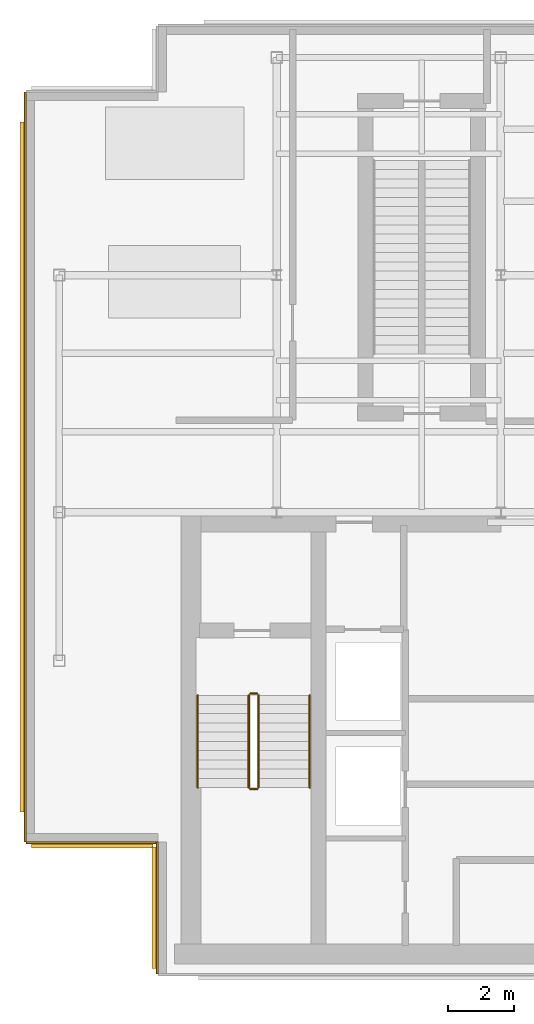
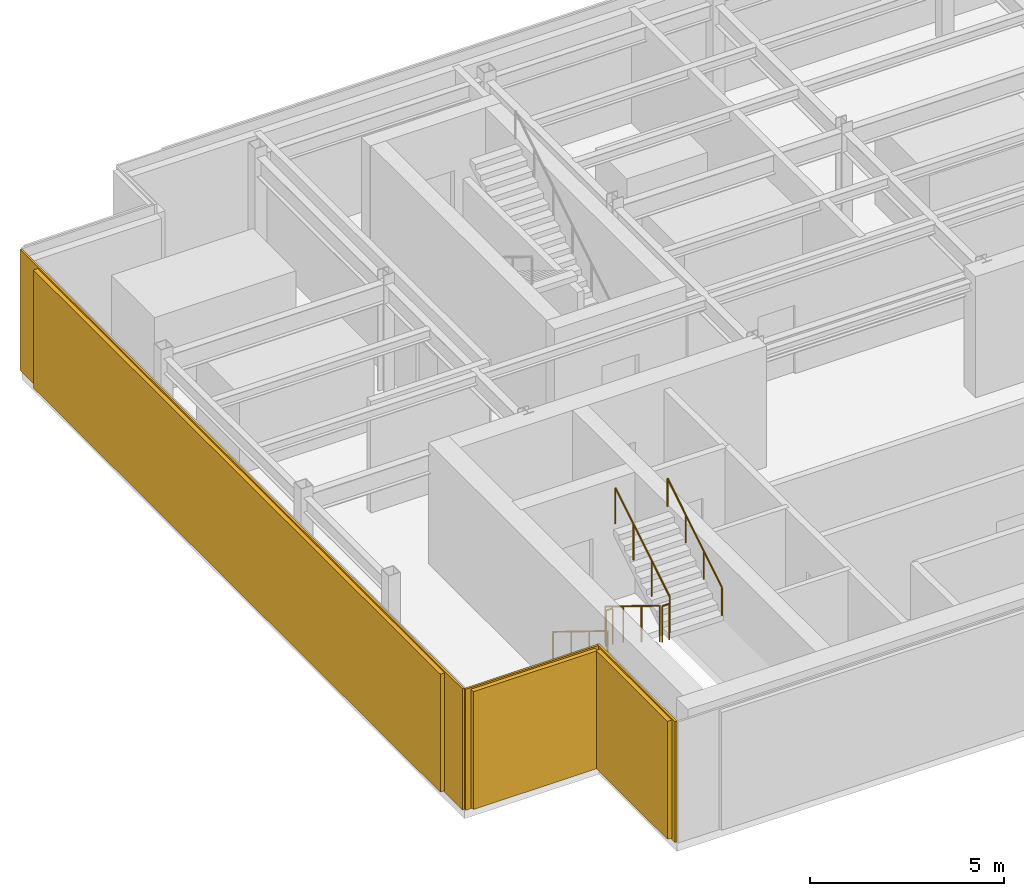
# One storey, part 4 of 7: 6 railings, 3 coverings, 3 shading devices.
"""IFC4 building model written with IfcOpenShell, lengths in metres."""

import ifcopenshell
import ifcopenshell.guid

model = None  # the IFC model being written
_history = None  # IfcOwnerHistory: only IFC2X3 demands one
_inside = {}  # id of a spatial element -> (the spatial element, [elements in it])
_under = {}  # id of a project, library or spatial element -> (it, [spatial elements below it])
_declared = {}  # id of a project -> (the project, [libraries it declares])
_typed = {}  # id of a type object -> (the type object, [elements of that type])
_made_of = {}  # id of a material, layer set ... -> (it, [elements and type objects made of it])


def new_model(schema):
    """Start an empty IFC model of exactly this schema.

    Asked for "IFC4X3", IfcOpenShell would pick the latest addendum, in which some entities
    have other attributes; the version numbers below select the first issue.
    IFC2X3 requires an IfcOwnerHistory on every rooted entity: one is made here for all.
    """
    global model, _history
    if schema == "IFC4X3":
        model = ifcopenshell.file(schema_version=(4, 3, 0, 0))
    else:
        model = ifcopenshell.file(schema=schema)
    _inside.clear()
    _under.clear()
    _declared.clear()
    _typed.clear()
    _made_of.clear()
    _history = None
    if model.schema == "IFC2X3":
        org = make("IfcOrganization", Name="unknown")
        user = make(
            "IfcPersonAndOrganization",
            ThePerson=make("IfcPerson", FamilyName="unknown"),
            TheOrganization=org,
        )
        app = make(
            "IfcApplication",
            ApplicationDeveloper=org,
            Version="unknown",
            ApplicationFullName="unknown",
            ApplicationIdentifier="unknown",
        )
        _history = make(
            "IfcOwnerHistory",
            OwningUser=user,
            OwningApplication=app,
            ChangeAction="ADDED",
            CreationDate=0,
        )
    return model


def make(cls, **values):
    """One entity of the class cls with the attributes given. An attribute that is None is left unset."""
    return model.create_entity(
        cls, **{name: value for name, value in values.items() if value is not None}
    )


def rooted(cls, **values):
    """An entity with a GlobalId (a new one), such as an element, a storey or a relation."""
    return make(cls, GlobalId=ifcopenshell.guid.new(), OwnerHistory=_history, **values)


def si_unit(unit_type, name, prefix=None):
    """IfcSIUnit, for example si_unit("LENGTHUNIT", "METRE", prefix="MILLI")."""
    return make("IfcSIUnit", UnitType=unit_type, Prefix=prefix, Name=name)


def derived_unit(unit_type, elements):
    """IfcDerivedUnit: a product of units, each with its exponent."""
    return make(
        "IfcDerivedUnit",
        Elements=[
            make("IfcDerivedUnitElement", Unit=unit, Exponent=power)
            for unit, power in elements
        ],
        UnitType=unit_type,
    )


def assignment(units):
    """IfcUnitAssignment: the units of a project."""
    return None if units is None else make("IfcUnitAssignment", Units=units)


def point(xyz):
    """IfcCartesianPoint."""
    return None if xyz is None else make("IfcCartesianPoint", Coordinates=xyz)


def direction(xyz):
    """IfcDirection."""
    return None if xyz is None else make("IfcDirection", DirectionRatios=xyz)


def frame(location, z_axis=None, x_axis=None):
    """IfcAxis2Placement3D, a coordinate frame: its origin and axes. An axis left out is left unset."""
    return make(
        "IfcAxis2Placement3D",
        Location=point(location),
        Axis=direction(z_axis),
        RefDirection=direction(x_axis),
    )


def frame_2d(location, x_axis=None):
    """IfcAxis2Placement2D, a coordinate frame in the plane: its origin and x axis."""
    return make(
        "IfcAxis2Placement2D", Location=point(location), RefDirection=direction(x_axis)
    )


def origin():
    """The frame at (0, 0, 0) with its axes left unset."""
    return frame((0.0, 0.0, 0.0))


def origin_2d():
    """The frame at (0, 0) in the plane with its x axis left unset."""
    return frame_2d((0.0, 0.0))


def place(relative_to, where):
    """IfcLocalPlacement: puts the frame where relative to a parent placement (None: the world)."""
    return make(
        "IfcLocalPlacement", PlacementRelTo=relative_to, RelativePlacement=where
    )


def context(
    kind, dimensions, precision=None, world=None, true_north=None, identifier=None
):
    """IfcGeometricRepresentationContext, for example the 3D "Model" context."""
    return make(
        "IfcGeometricRepresentationContext",
        ContextIdentifier=identifier,
        ContextType=kind,
        CoordinateSpaceDimension=dimensions,
        Precision=precision,
        WorldCoordinateSystem=world,
        TrueNorth=true_north,
    )


def subcontext(parent, identifier, kind, view, scale=None):
    """IfcGeometricRepresentationSubContext, for example "Body" below "Model"."""
    return make(
        "IfcGeometricRepresentationSubContext",
        ContextIdentifier=identifier,
        ContextType=kind,
        ParentContext=parent,
        TargetScale=scale,
        TargetView=view,
    )


def project(units=None, contexts=None):
    """IfcProject with its units and contexts."""
    return rooted(
        "IfcProject",
        Name="project",
        RepresentationContexts=contexts,
        UnitsInContext=assignment(units),
    )


def spatial(cls, under=None, at=None, **own):
    """A site, building, storey or space (cls), placed at a placement, below another one or the project."""
    s = rooted(cls, ObjectPlacement=at, **own)
    if under is not None:
        _under.setdefault(under.id(), (under, []))[1].append(s)
    return s


def profile(cls, at=None, kind="AREA", **sizes):
    """A parametric profile (cls). Its sizes go by their IFC names, for example OverallWidth=200.0."""
    return make(cls, ProfileType=kind, Position=at, **sizes)


def rectangle(**sizes):
    """IfcRectangleProfileDef."""
    return profile("IfcRectangleProfileDef", **sizes)


def circle(**sizes):
    """IfcCircleProfileDef."""
    return profile("IfcCircleProfileDef", **sizes)


def extrude(swept, where, along, depth):
    """IfcExtrudedAreaSolid: the profile swept, set in the frame where, extruded along a direction by depth."""
    return make(
        "IfcExtrudedAreaSolid",
        SweptArea=swept,
        Position=where,
        ExtrudedDirection=direction(along),
        Depth=depth,
    )


def shape(context_of_items, identifier, shape_type, items):
    """IfcShapeRepresentation: the items that make up one representation, for example the "Body"."""
    return make(
        "IfcShapeRepresentation",
        ContextOfItems=context_of_items,
        RepresentationIdentifier=identifier,
        RepresentationType=shape_type,
        Items=items,
    )


def source(mapping_origin, context_of_items, identifier, shape_type, items):
    """IfcRepresentationMap: a shape defined once, which mapped items show again and again."""
    return make(
        "IfcRepresentationMap",
        MappingOrigin=mapping_origin,
        MappedRepresentation=shape(context_of_items, identifier, shape_type, items),
    )


def transform(
    local_origin,
    x_axis=None,
    y_axis=None,
    z_axis=None,
    scale=None,
    scale2=None,
    scale3=None,
    uniform=True,
):
    """IfcCartesianTransformationOperator3D, or its non-uniform kind. x_axis, y_axis, z_axis: its Axis1, 2, 3."""
    if uniform:
        return make(
            "IfcCartesianTransformationOperator3D",
            Axis1=direction(x_axis),
            Axis2=direction(y_axis),
            LocalOrigin=point(local_origin),
            Scale=scale,
            Axis3=direction(z_axis),
        )
    return make(
        "IfcCartesianTransformationOperator3DnonUniform",
        Axis1=direction(x_axis),
        Axis2=direction(y_axis),
        LocalOrigin=point(local_origin),
        Scale=scale,
        Axis3=direction(z_axis),
        Scale2=scale2,
        Scale3=scale3,
    )


def mapped(mapping_source, mapping_target):
    """IfcMappedItem: shows the shape of a source again, moved by a transform."""
    return make(
        "IfcMappedItem", MappingSource=mapping_source, MappingTarget=mapping_target
    )


def material(Name=None, Category=None):
    """IfcMaterial."""
    return make("IfcMaterial", Name=Name, Category=Category)


def layer(
    of_material, thickness, ventilated=None, Name=None, Category=None, Priority=None
):
    """IfcMaterialLayer: one layer of a wall or slab, of a material (None: an air gap)."""
    return make(
        "IfcMaterialLayer",
        Material=of_material,
        LayerThickness=thickness,
        IsVentilated=ventilated,
        Name=Name,
        Category=Category,
        Priority=Priority,
    )


def layer_set(layers, Name=None):
    """IfcMaterialLayerSet."""
    return make("IfcMaterialLayerSet", MaterialLayers=layers, LayerSetName=Name)


def made_of(thing, what):
    """Note that an element or type object is made of a material, layer set ...; save() writes the relation."""
    if what is not None:
        _made_of.setdefault(what.id(), (what, []))[1].append(thing)
    return thing


def type_object(cls, material=None, **own):
    """A type object (cls), such as IfcWallType, which elements share."""
    return made_of(rooted(cls, **own), material)


def element(
    cls,
    number,
    at=None,
    inside=None,
    cuts=None,
    type_object=None,
    material=None,
    context=None,
    identifier="Body",
    shape_type=None,
    held_by="IfcProductDefinitionShape",
    body=None,
    shapes=None,
    **own,
):
    """One element of the class cls, such as IfcWall. Its Tag is "e" and its number.

    at: its placement. inside: the storey or other place that contains it. cuts: it is an
    opening in that element (IfcRelVoidsElement). A single representation is given by context,
    identifier, shape_type and body (its items); several are given by shapes. held_by: the class
    of the entity that holds the representations. save() writes the other relations.
    """
    e = rooted(cls, Tag="e%d" % number, ObjectPlacement=at, **own)
    if body is not None:
        shapes = [shape(context, identifier, shape_type, body)]
    if shapes is not None:
        e.Representation = make(held_by, Representations=shapes)
    if inside is not None:
        _inside.setdefault(inside.id(), (inside, []))[1].append(e)
    if cuts is not None:
        rooted(
            "IfcRelVoidsElement", RelatingBuildingElement=cuts, RelatedOpeningElement=e
        )
    if type_object is not None:
        _typed.setdefault(type_object.id(), (type_object, []))[1].append(e)
    return made_of(e, material)


def aggregate(whole, parts):
    """IfcRelAggregates: a whole, such as a stair, and the parts it consists of."""
    return rooted("IfcRelAggregates", RelatingObject=whole, RelatedObjects=parts)


def save(model, path):
    """Write the relations noted so far, then the file.

    IfcRelAggregates (storeys below a building ...), IfcRelContainedInSpatialStructure (elements
    in a storey), IfcRelDefinesByType, IfcRelAssociatesMaterial and IfcRelDeclares: one each for
    every whole, place, type object, material and project.
    """
    for whole, parts in _under.values():
        aggregate(whole, parts)
    for where, things in _inside.values():
        rooted(
            "IfcRelContainedInSpatialStructure",
            RelatedElements=things,
            RelatingStructure=where,
        )
    for kind, things in _typed.values():
        rooted("IfcRelDefinesByType", RelatedObjects=things, RelatingType=kind)
    for what, things in _made_of.values():
        rooted("IfcRelAssociatesMaterial", RelatedObjects=things, RelatingMaterial=what)
    for by, libraries in _declared.values():
        rooted("IfcRelDeclares", RelatingContext=by, RelatedDefinitions=libraries)
    model.write(path)


model = new_model("IFC4")

# Units and contexts
model_context = context("Model", 3, precision=1e-05, world=origin(), true_north=direction((0.0, 1.0)))
body_context = subcontext(model_context, "Body", "Model", "MODEL_VIEW")
ifc_project = project(units=[si_unit("LENGTHUNIT", "METRE"), si_unit("AREAUNIT", "SQUARE_METRE"), si_unit("VOLUMEUNIT", "CUBIC_METRE"), si_unit("PLANEANGLEUNIT", "RADIAN"), si_unit("MASSUNIT", "GRAM", prefix="KILO"), derived_unit("THERMALTRANSMITTANCEUNIT", [(si_unit("POWERUNIT", "WATT"), 1), (si_unit("LENGTHUNIT", "METRE"), -2), (si_unit("THERMODYNAMICTEMPERATUREUNIT", "KELVIN"), -1)])], contexts=[model_context])

# Site, building, storey
site_placement = place(None, origin())
site = spatial("IfcSite", under=ifc_project, at=site_placement, CompositionType="ELEMENT")
building_placement = place(site_placement, origin())
building = spatial("IfcBuilding", under=site, at=building_placement, Name="Skarnbrae Concourse Arena and Tower", CompositionType="ELEMENT")
storey_placement = place(building_placement, frame((0.0, 0.0, 303.64990234375)))
storey = spatial("IfcBuildingStorey", under=building, at=storey_placement, Name="L79", CompositionType="ELEMENT", Elevation=303.64990234375)

# Railings
ifc_material_1 = material(Name="Steel CSA G40.21 350W", Category="steel")
railing_type_1 = type_object("IfcRailingType", Name="RAIL-HANDRAIL-900", PredefinedType="HANDRAIL", material=ifc_material_1)
railing_1_placement = place(storey_placement, frame((5.199951171875, 8.449951171875, 0.1728515625)))
element("IfcRailing", 1, at=railing_1_placement, inside=storey, type_object=railing_type_1, Name="L79 ST-1 stair handrail 1", PredefinedType="HANDRAIL", context=body_context, shape_type="SweptSolid", body=[
    extrude(circle(Radius=0.02392578125, at=origin_2d()), frame((0.0, 0.0, 0.8759765625), z_axis=(0.0, -0.851089632645, 0.525020415988), x_axis=(1.0, 0.0, 0.0)), (0.0, 0.0, 1.0), 3.2900390625),
    extrude(circle(Radius=0.02099609375, at=origin_2d()), origin(), (0.0, 0.0, 1.0), 0.851806640625),
    extrude(circle(Radius=0.02099609375, at=origin_2d()), frame((0.0, -0.933349609375, 0.57568359375)), (0.0, 0.0, 1.0), 0.851806640625),
    extrude(circle(Radius=0.02099609375, at=origin_2d()), frame((0.0, -1.86669921875, 1.151611328125)), (0.0, 0.0, 1.0), 0.851806640625),
    extrude(circle(Radius=0.02099609375, at=origin_2d()), frame((0.0, -2.800048828125, 1.727294921875)), (0.0, 0.0, 1.0), 0.851806640625),
])
railing_2_placement = place(storey_placement, frame((8.60009765625, 5.64990234375, 2.07275390625)))
element("IfcRailing", 2, at=railing_2_placement, inside=storey, type_object=railing_type_1, Name="L79 ST-1 stair handrail 2", PredefinedType="HANDRAIL", context=body_context, shape_type="SweptSolid", body=[
    extrude(circle(Radius=0.02392578125, at=origin_2d()), frame((0.0, 0.0, 0.8759765625), z_axis=(0.0, 0.851089632645, 0.525020415988), x_axis=(-1.0, 0.0, 0.0)), (0.0, 0.0, 1.0), 3.2900390625),
    extrude(circle(Radius=0.02099609375, at=origin_2d()), origin(), (0.0, 0.0, 1.0), 0.851806640625),
    extrude(circle(Radius=0.02099609375, at=origin_2d()), frame((0.0, 0.933349609375, 0.57568359375)), (0.0, 0.0, 1.0), 0.851806640625),
    extrude(circle(Radius=0.02099609375, at=origin_2d()), frame((0.0, 1.86669921875, 1.151611328125)), (0.0, 0.0, 1.0), 0.851806640625),
    extrude(circle(Radius=0.02099609375, at=origin_2d()), frame((0.0, 2.800048828125, 1.727294921875)), (0.0, 0.0, 1.0), 0.851806640625),
])
railing_type_2 = type_object("IfcRailingType", Name="RAIL-STAIR-GUARD-1150", PredefinedType="GUARDRAIL", material=ifc_material_1)
railing_3_placement = place(storey_placement, frame((6.75, 8.449951171875, 0.1728515625)))
element("IfcRailing", 3, at=railing_3_placement, inside=storey, type_object=railing_type_2, Name="L79 ST-1 stair guard 1", PredefinedType="GUARDRAIL", context=body_context, shape_type="SweptSolid", body=[
    extrude(circle(Radius=0.02392578125, at=origin_2d()), frame((0.0, 0.0, 1.1259765625), z_axis=(0.0, -0.851089632645, 0.525020415988), x_axis=(1.0, 0.0, 0.0)), (0.0, 0.0, 1.0), 3.2900390625),
    extrude(circle(Radius=0.02099609375, at=origin_2d()), origin(), (0.0, 0.0, 1.0), 1.101806640625),
    extrude(circle(Radius=0.02099609375, at=origin_2d()), frame((0.0, -0.933349609375, 0.57568359375)), (0.0, 0.0, 1.0), 1.101806640625),
    extrude(circle(Radius=0.02099609375, at=origin_2d()), frame((0.0, -1.86669921875, 1.151611328125)), (0.0, 0.0, 1.0), 1.101806640625),
    extrude(circle(Radius=0.02099609375, at=origin_2d()), frame((0.0, -2.800048828125, 1.727294921875)), (0.0, 0.0, 1.0), 1.101806640625),
])
railing_4_placement = place(storey_placement, frame((6.800048828125, 5.60009765625, 1.900146484375)))
element("IfcRailing", 4, at=railing_4_placement, inside=storey, type_object=railing_type_2, Name="L79 ST-1 stair guard 2", PredefinedType="GUARDRAIL", context=body_context, shape_type="SweptSolid", body=[
    extrude(circle(Radius=0.02392578125, at=origin_2d()), frame((0.0, 0.0, 1.1259765625), z_axis=(1.0, 0.0, 0.0), x_axis=(0.0, 1.0, 0.0)), (0.0, 0.0, 1.0), 0.199951171875),
    extrude(circle(Radius=0.02099609375, at=origin_2d()), origin(), (0.0, 0.0, 1.0), 1.101806640625),
    extrude(circle(Radius=0.02099609375, at=origin_2d()), frame((0.199951171875, 0.0, 0.0)), (0.0, 0.0, 1.0), 1.101806640625),
])
railing_5_placement = place(storey_placement, frame((7.050048828125, 5.64990234375, 2.07275390625)))
element("IfcRailing", 5, at=railing_5_placement, inside=storey, type_object=railing_type_2, Name="L79 ST-1 stair guard 3", PredefinedType="GUARDRAIL", context=body_context, shape_type="SweptSolid", body=[
    extrude(circle(Radius=0.02392578125, at=origin_2d()), frame((0.0, 0.0, 1.1259765625), z_axis=(0.0, 0.851089632645, 0.525020415988), x_axis=(-1.0, 0.0, 0.0)), (0.0, 0.0, 1.0), 3.2900390625),
    extrude(circle(Radius=0.02099609375, at=origin_2d()), origin(), (0.0, 0.0, 1.0), 1.101806640625),
    extrude(circle(Radius=0.02099609375, at=origin_2d()), frame((0.0, 0.933349609375, 0.57568359375)), (0.0, 0.0, 1.0), 1.101806640625),
    extrude(circle(Radius=0.02099609375, at=origin_2d()), frame((0.0, 1.86669921875, 1.151611328125)), (0.0, 0.0, 1.0), 1.101806640625),
    extrude(circle(Radius=0.02099609375, at=origin_2d()), frame((0.0, 2.800048828125, 1.727294921875)), (0.0, 0.0, 1.0), 1.101806640625),
])
railing_6_placement = place(storey_placement, frame((6.800048828125, 8.5, 0.0)))
element("IfcRailing", 6, at=railing_6_placement, inside=storey, type_object=railing_type_2, Name="L79 ST-1 stair guard 4", PredefinedType="GUARDRAIL", context=body_context, shape_type="SweptSolid", body=[
    extrude(circle(Radius=0.02392578125, at=origin_2d()), frame((0.0, 0.0, 1.1259765625), z_axis=(1.0, 0.0, 0.0), x_axis=(0.0, 1.0, 0.0)), (0.0, 0.0, 1.0), 0.199951171875),
    extrude(circle(Radius=0.02099609375, at=origin_2d()), origin(), (0.0, 0.0, 1.0), 1.101806640625),
    extrude(circle(Radius=0.02099609375, at=origin_2d()), frame((0.199951171875, 0.0, 0.0)), (0.0, 0.0, 1.0), 1.101806640625),
])

# Coverings
ifc_material_2 = material(Name="Bronze anodised aluminium 6063-T6", Category="aluminium")
ifc_layer = layer(ifc_material_2, 0.06005859375)
ifc_layer_set = layer_set([ifc_layer], Name="Bronze anodised aluminium 6063-T6")
covering_type = type_object("IfcCoveringType", Name="COV-CLAD-BRONZE-60", PredefinedType="CLADDING", material=ifc_layer_set)
shared_shape_1 = source(origin(), body_context, "Body", "SweptSolid", [
    extrude(rectangle(XDim=4.0, YDim=0.06005859375, at=origin_2d()), origin(), (0.0, 0.0, 1.0), 3.800048828125),
])
for number, where, z_axis, x_axis, name in (
    (7, (2.0, 3.969970703125, 0.0), (0.0, 0.0, 1.0), (1.0, 0.0, 0.0), "L79 Bronze crown rainscreen cladding 11"),
    (8, (3.969970703125, 2.0, 0.0), (0.0, 0.0, 1.0), (0.0, -1.0, 0.0), "L79 Bronze crown rainscreen cladding 12"),
):
    element("IfcCovering", number, at=place(storey_placement, frame(where, z_axis=z_axis, x_axis=x_axis)), inside=storey, type_object=covering_type, Name=name, PredefinedType="CLADDING", context=body_context, shape_type="MappedRepresentation", body=[
        mapped(shared_shape_1, transform((0.0, 0.0, 0.0))),
    ])

# Shading devices
shading_device_type = type_object("IfcShadingDeviceType", Name="SHD-BRONZE-LOUVRE-150", PredefinedType="USERDEFINED", material=ifc_material_2)
shared_shape_2 = source(origin(), body_context, "Body", "SweptSolid", [
    extrude(rectangle(XDim=3.679931640625, YDim=0.139892578125, at=origin_2d()), origin(), (0.0, 0.0, 1.0), 3.699951171875),
])
for number, where, z_axis, x_axis, name in (
    (9, (2.0, 3.8798828125, 0.05029296875), (0.0, 0.0, 1.0), (1.0, 0.0, 0.0), "L79 Crown bronze architectural louvre screen 11"),
    (10, (3.8798828125, 2.0, 0.05029296875), (0.0, 0.0, 1.0), (0.0, -1.0, 0.0), "L79 Crown bronze architectural louvre screen 12"),
):
    element("IfcShadingDevice", number, at=place(storey_placement, frame(where, z_axis=z_axis, x_axis=x_axis)), inside=storey, type_object=shading_device_type, Name=name, ObjectType="LOUVRE", PredefinedType="USERDEFINED", context=body_context, shape_type="MappedRepresentation", body=[
        mapped(shared_shape_2, transform((0.0, 0.0, 0.0))),
    ])

# Covering
shared_shape_3 = source(origin(), body_context, "Body", "SweptSolid", [
    extrude(rectangle(XDim=22.75, YDim=0.06005859375, at=origin_2d()), origin(), (0.0, 0.0, 1.0), 3.800048828125),
])
covering_placement = place(storey_placement, frame((-0.030029296875, 15.375, 0.0), z_axis=(0.0, 0.0, 1.0), x_axis=(0.0, -1.0, 0.0)))
element("IfcCovering", 11, at=covering_placement, inside=storey, type_object=covering_type, Name="L79 Bronze crown rainscreen cladding 10", PredefinedType="CLADDING", context=body_context, shape_type="MappedRepresentation", body=[
    mapped(shared_shape_3, transform((0.0, 0.0, 0.0))),
])

# Shading device
shared_shape_4 = source(origin(), body_context, "Body", "SweptSolid", [
    extrude(rectangle(XDim=20.929931640625, YDim=0.139892578125, at=origin_2d()), origin(), (0.0, 0.0, 1.0), 3.699951171875),
])
shading_device_placement = place(storey_placement, frame((-0.1201171875, 15.375, 0.05029296875), z_axis=(0.0, 0.0, 1.0), x_axis=(0.0, -1.0, 0.0)))
element("IfcShadingDevice", 12, at=shading_device_placement, inside=storey, type_object=shading_device_type, Name="L79 Crown bronze architectural louvre screen 10", ObjectType="LOUVRE", PredefinedType="USERDEFINED", context=body_context, shape_type="MappedRepresentation", body=[
    mapped(shared_shape_4, transform((0.0, 0.0, 0.0))),
])

save(model, "model.ifc")
